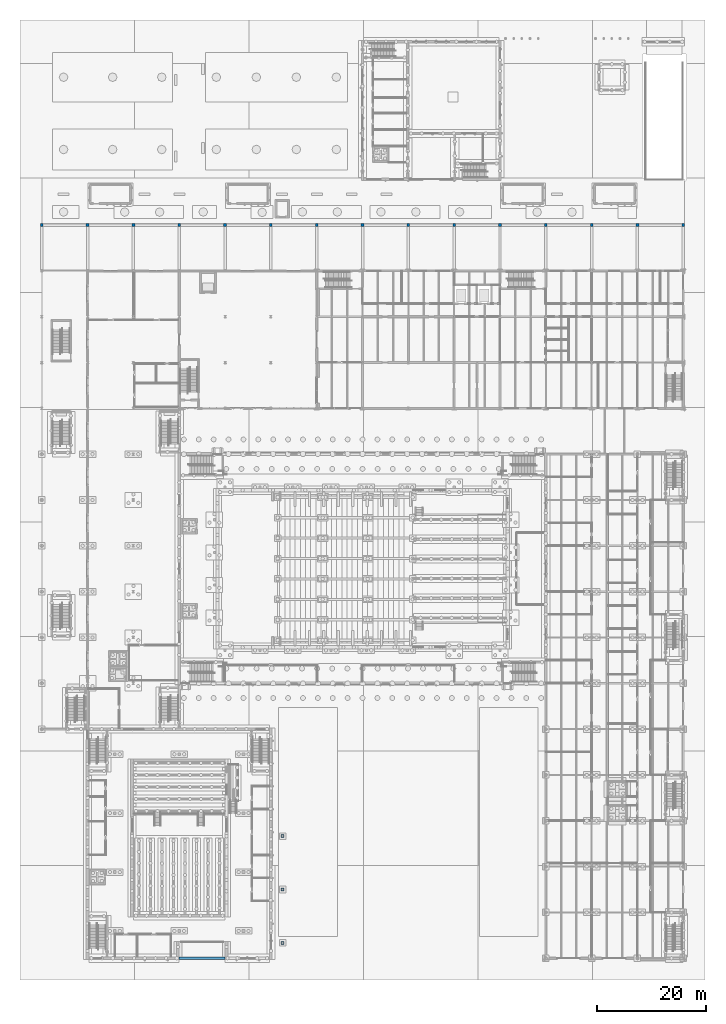
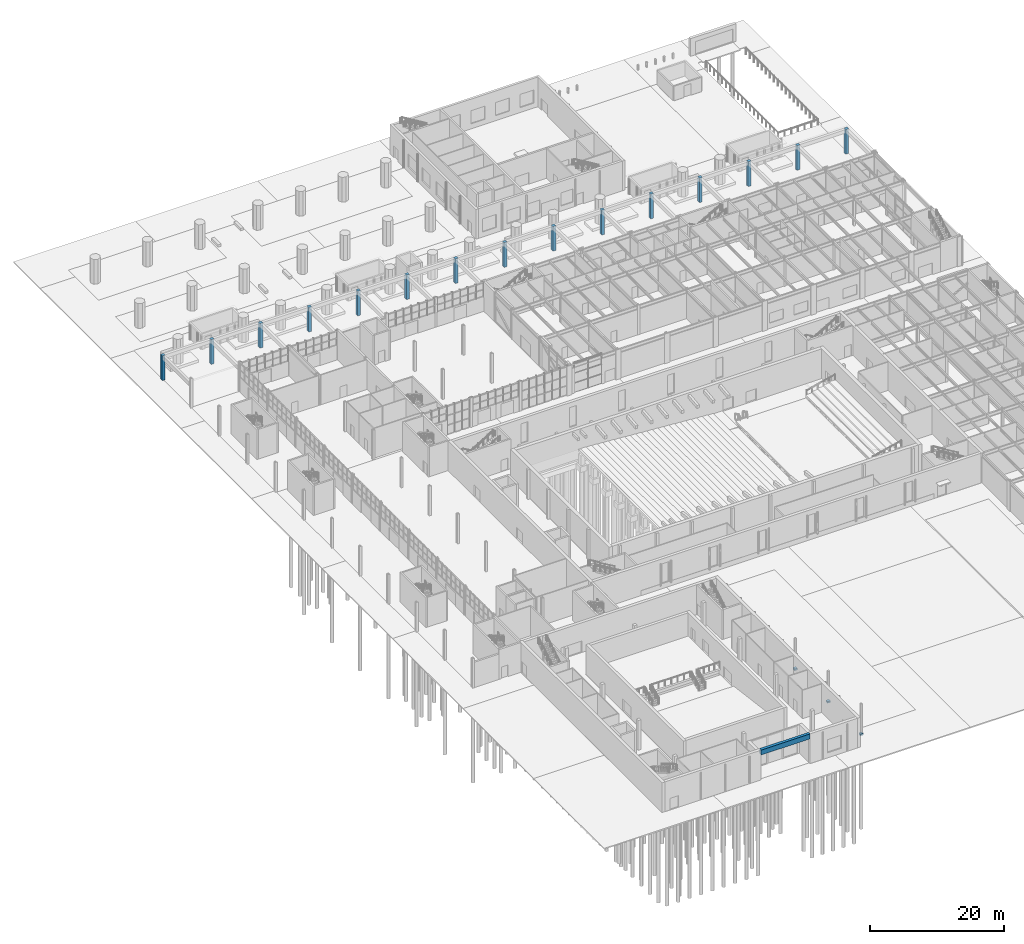
# One storey, part 31 of 127: 18 columns, 1 beam.
"""IFC4 building model written with IfcOpenShell, lengths in metres."""

from ifc_helpers import new_model, si_unit, direction, frame, origin, origin_2d, place, context, subcontext, project, spatial, rectangle, extrude, material, material_profile, profile_set, type_object, element, save


model = new_model("IFC4")

# Units and contexts
model_context = context("Model", 3, precision=1e-05, world=origin(), true_north=direction((0.0, 1.0)))
body_context = subcontext(model_context, "Body", "Model", "MODEL_VIEW")
ifc_project = project(units=[si_unit("LENGTHUNIT", "METRE"), si_unit("AREAUNIT", "SQUARE_METRE"), si_unit("VOLUMEUNIT", "CUBIC_METRE"), si_unit("PLANEANGLEUNIT", "RADIAN"), si_unit("MASSUNIT", "GRAM", prefix="KILO")], contexts=[model_context])

# Site, building, storey
site_placement = place(None, origin())
site = spatial("IfcSite", under=ifc_project, at=site_placement, CompositionType="ELEMENT")
building_placement = place(site_placement, origin())
building = spatial("IfcBuilding", under=site, at=building_placement, Name="Ljudholm Concert House", CompositionType="ELEMENT")
storey_placement = place(building_placement, origin())
storey = spatial("IfcBuildingStorey", under=building, at=storey_placement, Name="L00", CompositionType="ELEMENT", Elevation=0.0)

# Columns
ifc_material_1 = material(Name="Concrete 6,500 psi", Category="concrete")
ifc_material_profile_1 = material_profile(ifc_material_1, rectangle(XDim=0.5, YDim=0.5, at=origin_2d()), Name="RC COLUMN 500x500")
ifc_profile_set_1 = profile_set([ifc_material_profile_1], Name="Concrete 6,500 psi")
column_type = type_object("IfcColumnType", Name="RC COLUMN 500x500", PredefinedType="COLUMN", material=ifc_profile_set_1)
for number, where, z_axis, x_axis, name in (
    (1, (4.0, 138.39990234375, 0.0), (0.0, 0.0, 1.0), (1.0, 0.0, 0.0), "Arcade column"),
    (2, (12.39990234375, 138.39990234375, 0.0), (0.0, 0.0, 1.0), (1.0, 0.0, 0.0), "Arcade column"),
    (3, (20.800048828125, 138.39990234375, 0.0), (0.0, 0.0, 1.0), (1.0, 0.0, 0.0), "Arcade column"),
    (4, (29.199951171875, 138.39990234375, 0.0), (0.0, 0.0, 1.0), (1.0, 0.0, 0.0), "Arcade column"),
    (5, (37.60009765625, 138.39990234375, 0.0), (0.0, 0.0, 1.0), (1.0, 0.0, 0.0), "Arcade column"),
    (6, (46.0, 138.39990234375, 0.0), (0.0, 0.0, 1.0), (1.0, 0.0, 0.0), "Arcade column"),
    (7, (54.39990234375, 138.39990234375, 0.0), (0.0, 0.0, 1.0), (1.0, 0.0, 0.0), "Arcade column"),
    (8, (62.800048828125, 138.39990234375, 0.0), (0.0, 0.0, 1.0), (1.0, 0.0, 0.0), "Arcade column"),
    (9, (71.199951171875, 138.39990234375, 0.0), (0.0, 0.0, 1.0), (1.0, 0.0, 0.0), "Arcade column"),
    (10, (79.60009765625, 138.39990234375, 0.0), (0.0, 0.0, 1.0), (1.0, 0.0, 0.0), "Arcade column"),
    (11, (88.0, 138.39990234375, 0.0), (0.0, 0.0, 1.0), (1.0, 0.0, 0.0), "Arcade column"),
    (12, (96.39990234375, 138.39990234375, 0.0), (0.0, 0.0, 1.0), (1.0, 0.0, 0.0), "Arcade column"),
    (13, (104.800048828125, 138.39990234375, 0.0), (0.0, 0.0, 1.0), (1.0, 0.0, 0.0), "Arcade column"),
    (14, (113.199951171875, 138.39990234375, 0.0), (0.0, 0.0, 1.0), (1.0, 0.0, 0.0), "Arcade column"),
    (15, (121.60009765625, 138.39990234375, 0.0), (0.0, 0.0, 1.0), (1.0, 0.0, 0.0), "Arcade column"),
):
    element("IfcColumn", number, at=place(storey_placement, frame(where, z_axis=z_axis, x_axis=x_axis)), inside=storey, type_object=column_type, Name=name, PredefinedType="COLUMN", context=body_context, shape_type="SweptSolid", body=[
        extrude(rectangle(XDim=0.5, YDim=0.5, at=origin_2d()), origin(), (0.0, 0.0, 1.0), 4.5),
    ])
for number, where, z_axis, x_axis, name in (
    (16, (48.14990234375, 6.800048828125, -0.300048828125), (0.0, 0.0, 1.0), (1.0, 0.0, 0.0), "Column pedestal"),
    (17, (48.14990234375, 16.60009765625, -0.300048828125), (0.0, 0.0, 1.0), (1.0, 0.0, 0.0), "Column pedestal"),
    (18, (48.14990234375, 26.39990234375, -0.300048828125), (0.0, 0.0, 1.0), (1.0, 0.0, 0.0), "Column pedestal"),
):
    element("IfcColumn", number, at=place(storey_placement, frame(where, z_axis=z_axis, x_axis=x_axis)), inside=storey, type_object=column_type, Name=name, PredefinedType="COLUMN", context=body_context, shape_type="SweptSolid", body=[
        extrude(rectangle(XDim=0.5, YDim=0.5, at=origin_2d()), origin(), (0.0, 0.0, 1.0), 0.300048828125),
    ])

# Beam
ifc_material_2 = material(Name="Concrete 6,500 psi", Category="concrete")
ifc_material_profile_2 = material_profile(ifc_material_2, rectangle(XDim=0.5, YDim=0.89990234375, at=origin_2d()), Name="RC BEAM 500x900 BEAM")
ifc_profile_set_2 = profile_set([ifc_material_profile_2], Name="Concrete 6,500 psi")
beam_type = type_object("IfcBeamType", Name="RC BEAM 500x900 BEAM", PredefinedType="BEAM", material=ifc_profile_set_2)
beam_placement = place(storey_placement, frame((29.199951171875, 4.0, 4.949951171875), z_axis=(1.0, 0.0, 0.0), x_axis=(0.0, 1.0, 0.0)))
element("IfcBeam", 19, at=beam_placement, inside=storey, type_object=beam_type, Name="Porch lintel beam", PredefinedType="BEAM", context=body_context, shape_type="SweptSolid", body=[
    extrude(rectangle(XDim=0.5, YDim=0.89990234375, at=origin_2d()), origin(), (0.0, 0.0, 1.0), 8.400146484375),
])

save(model, "model.ifc")
